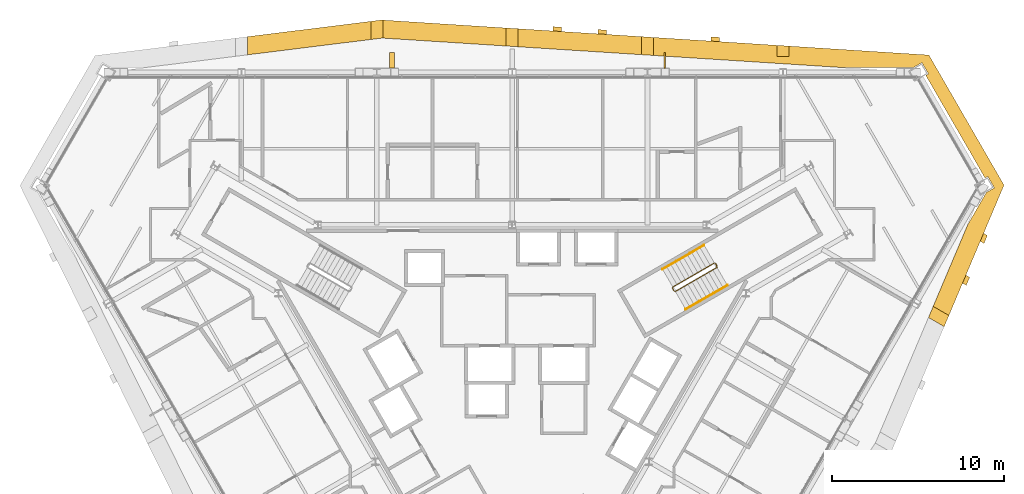
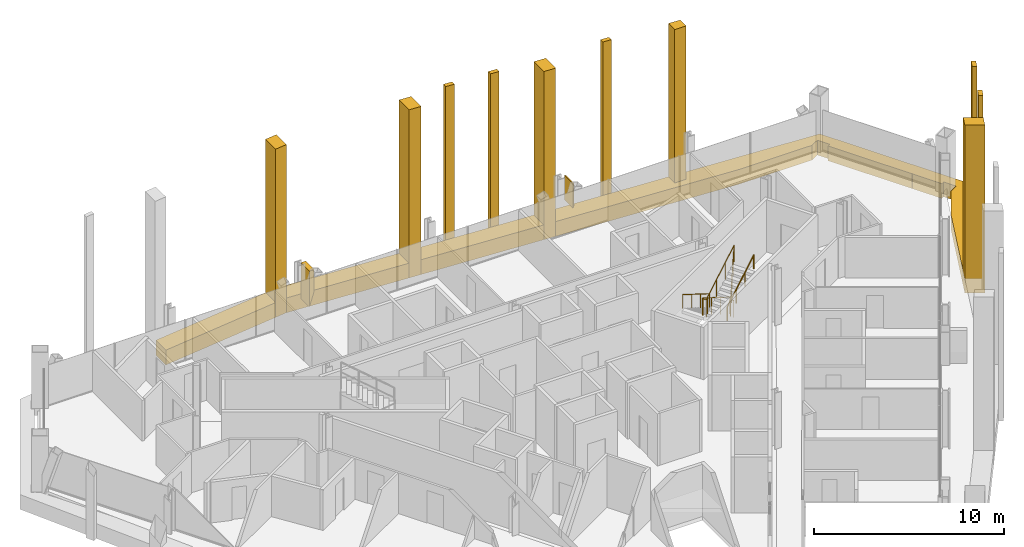
# One storey, part 17 of 17: 16 coverings, 3 railings.
"""IFC4 building model written with IfcOpenShell, lengths in metres."""

import ifcopenshell
import ifcopenshell.guid

model = None  # the IFC model being written
_history = None  # IfcOwnerHistory: only IFC2X3 demands one
_inside = {}  # id of a spatial element -> (the spatial element, [elements in it])
_under = {}  # id of a project, library or spatial element -> (it, [spatial elements below it])
_declared = {}  # id of a project -> (the project, [libraries it declares])
_typed = {}  # id of a type object -> (the type object, [elements of that type])
_made_of = {}  # id of a material, layer set ... -> (it, [elements and type objects made of it])


def new_model(schema):
    """Start an empty IFC model of exactly this schema.

    Asked for "IFC4X3", IfcOpenShell would pick the latest addendum, in which some entities
    have other attributes; the version numbers below select the first issue.
    IFC2X3 requires an IfcOwnerHistory on every rooted entity: one is made here for all.
    """
    global model, _history
    if schema == "IFC4X3":
        model = ifcopenshell.file(schema_version=(4, 3, 0, 0))
    else:
        model = ifcopenshell.file(schema=schema)
    _inside.clear()
    _under.clear()
    _declared.clear()
    _typed.clear()
    _made_of.clear()
    _history = None
    if model.schema == "IFC2X3":
        org = make("IfcOrganization", Name="unknown")
        user = make(
            "IfcPersonAndOrganization",
            ThePerson=make("IfcPerson", FamilyName="unknown"),
            TheOrganization=org,
        )
        app = make(
            "IfcApplication",
            ApplicationDeveloper=org,
            Version="unknown",
            ApplicationFullName="unknown",
            ApplicationIdentifier="unknown",
        )
        _history = make(
            "IfcOwnerHistory",
            OwningUser=user,
            OwningApplication=app,
            ChangeAction="ADDED",
            CreationDate=0,
        )
    return model


def make(cls, **values):
    """One entity of the class cls with the attributes given. An attribute that is None is left unset."""
    return model.create_entity(
        cls, **{name: value for name, value in values.items() if value is not None}
    )


def rooted(cls, **values):
    """An entity with a GlobalId (a new one), such as an element, a storey or a relation."""
    return make(cls, GlobalId=ifcopenshell.guid.new(), OwnerHistory=_history, **values)


def si_unit(unit_type, name, prefix=None):
    """IfcSIUnit, for example si_unit("LENGTHUNIT", "METRE", prefix="MILLI")."""
    return make("IfcSIUnit", UnitType=unit_type, Prefix=prefix, Name=name)


def assignment(units):
    """IfcUnitAssignment: the units of a project."""
    return None if units is None else make("IfcUnitAssignment", Units=units)


def point(xyz):
    """IfcCartesianPoint."""
    return None if xyz is None else make("IfcCartesianPoint", Coordinates=xyz)


def direction(xyz):
    """IfcDirection."""
    return None if xyz is None else make("IfcDirection", DirectionRatios=xyz)


def frame(location, z_axis=None, x_axis=None):
    """IfcAxis2Placement3D, a coordinate frame: its origin and axes. An axis left out is left unset."""
    return make(
        "IfcAxis2Placement3D",
        Location=point(location),
        Axis=direction(z_axis),
        RefDirection=direction(x_axis),
    )


def frame_2d(location, x_axis=None):
    """IfcAxis2Placement2D, a coordinate frame in the plane: its origin and x axis."""
    return make(
        "IfcAxis2Placement2D", Location=point(location), RefDirection=direction(x_axis)
    )


def origin():
    """The frame at (0, 0, 0) with its axes left unset."""
    return frame((0.0, 0.0, 0.0))


def origin_2d():
    """The frame at (0, 0) in the plane with its x axis left unset."""
    return frame_2d((0.0, 0.0))


def place(relative_to, where):
    """IfcLocalPlacement: puts the frame where relative to a parent placement (None: the world)."""
    return make(
        "IfcLocalPlacement", PlacementRelTo=relative_to, RelativePlacement=where
    )


def context(
    kind, dimensions, precision=None, world=None, true_north=None, identifier=None
):
    """IfcGeometricRepresentationContext, for example the 3D "Model" context."""
    return make(
        "IfcGeometricRepresentationContext",
        ContextIdentifier=identifier,
        ContextType=kind,
        CoordinateSpaceDimension=dimensions,
        Precision=precision,
        WorldCoordinateSystem=world,
        TrueNorth=true_north,
    )


def subcontext(parent, identifier, kind, view, scale=None):
    """IfcGeometricRepresentationSubContext, for example "Body" below "Model"."""
    return make(
        "IfcGeometricRepresentationSubContext",
        ContextIdentifier=identifier,
        ContextType=kind,
        ParentContext=parent,
        TargetScale=scale,
        TargetView=view,
    )


def project(units=None, contexts=None):
    """IfcProject with its units and contexts."""
    return rooted(
        "IfcProject",
        Name="project",
        RepresentationContexts=contexts,
        UnitsInContext=assignment(units),
    )


def spatial(cls, under=None, at=None, **own):
    """A site, building, storey or space (cls), placed at a placement, below another one or the project."""
    s = rooted(cls, ObjectPlacement=at, **own)
    if under is not None:
        _under.setdefault(under.id(), (under, []))[1].append(s)
    return s


def polyline(points):
    """IfcPolyline through the points."""
    return make("IfcPolyline", Points=[point(p) for p in points])


def profile(cls, at=None, kind="AREA", **sizes):
    """A parametric profile (cls). Its sizes go by their IFC names, for example OverallWidth=200.0."""
    return make(cls, ProfileType=kind, Position=at, **sizes)


def circle(**sizes):
    """IfcCircleProfileDef."""
    return profile("IfcCircleProfileDef", **sizes)


def outline(outer, holes=None, kind="AREA"):
    """IfcArbitraryClosedProfileDef: a profile drawn as a closed curve; with holes, ...WithVoids."""
    if holes is None:
        return make("IfcArbitraryClosedProfileDef", ProfileType=kind, OuterCurve=outer)
    return make(
        "IfcArbitraryProfileDefWithVoids",
        ProfileType=kind,
        OuterCurve=outer,
        InnerCurves=holes,
    )


def extrude(swept, where, along, depth):
    """IfcExtrudedAreaSolid: the profile swept, set in the frame where, extruded along a direction by depth."""
    return make(
        "IfcExtrudedAreaSolid",
        SweptArea=swept,
        Position=where,
        ExtrudedDirection=direction(along),
        Depth=depth,
    )


def shape(context_of_items, identifier, shape_type, items):
    """IfcShapeRepresentation: the items that make up one representation, for example the "Body"."""
    return make(
        "IfcShapeRepresentation",
        ContextOfItems=context_of_items,
        RepresentationIdentifier=identifier,
        RepresentationType=shape_type,
        Items=items,
    )


def material(Name=None, Category=None):
    """IfcMaterial."""
    return make("IfcMaterial", Name=Name, Category=Category)


def layer(
    of_material, thickness, ventilated=None, Name=None, Category=None, Priority=None
):
    """IfcMaterialLayer: one layer of a wall or slab, of a material (None: an air gap)."""
    return make(
        "IfcMaterialLayer",
        Material=of_material,
        LayerThickness=thickness,
        IsVentilated=ventilated,
        Name=Name,
        Category=Category,
        Priority=Priority,
    )


def layer_set(layers, Name=None):
    """IfcMaterialLayerSet."""
    return make("IfcMaterialLayerSet", MaterialLayers=layers, LayerSetName=Name)


def made_of(thing, what):
    """Note that an element or type object is made of a material, layer set ...; save() writes the relation."""
    if what is not None:
        _made_of.setdefault(what.id(), (what, []))[1].append(thing)
    return thing


def type_object(cls, material=None, **own):
    """A type object (cls), such as IfcWallType, which elements share."""
    return made_of(rooted(cls, **own), material)


def element(
    cls,
    number,
    at=None,
    inside=None,
    cuts=None,
    type_object=None,
    material=None,
    context=None,
    identifier="Body",
    shape_type=None,
    held_by="IfcProductDefinitionShape",
    body=None,
    shapes=None,
    **own,
):
    """One element of the class cls, such as IfcWall. Its Tag is "e" and its number.

    at: its placement. inside: the storey or other place that contains it. cuts: it is an
    opening in that element (IfcRelVoidsElement). A single representation is given by context,
    identifier, shape_type and body (its items); several are given by shapes. held_by: the class
    of the entity that holds the representations. save() writes the other relations.
    """
    e = rooted(cls, Tag="e%d" % number, ObjectPlacement=at, **own)
    if body is not None:
        shapes = [shape(context, identifier, shape_type, body)]
    if shapes is not None:
        e.Representation = make(held_by, Representations=shapes)
    if inside is not None:
        _inside.setdefault(inside.id(), (inside, []))[1].append(e)
    if cuts is not None:
        rooted(
            "IfcRelVoidsElement", RelatingBuildingElement=cuts, RelatedOpeningElement=e
        )
    if type_object is not None:
        _typed.setdefault(type_object.id(), (type_object, []))[1].append(e)
    return made_of(e, material)


def aggregate(whole, parts):
    """IfcRelAggregates: a whole, such as a stair, and the parts it consists of."""
    return rooted("IfcRelAggregates", RelatingObject=whole, RelatedObjects=parts)


def save(model, path):
    """Write the relations noted so far, then the file.

    IfcRelAggregates (storeys below a building ...), IfcRelContainedInSpatialStructure (elements
    in a storey), IfcRelDefinesByType, IfcRelAssociatesMaterial and IfcRelDeclares: one each for
    every whole, place, type object, material and project.
    """
    for whole, parts in _under.values():
        aggregate(whole, parts)
    for where, things in _inside.values():
        rooted(
            "IfcRelContainedInSpatialStructure",
            RelatedElements=things,
            RelatingStructure=where,
        )
    for kind, things in _typed.values():
        rooted("IfcRelDefinesByType", RelatedObjects=things, RelatingType=kind)
    for what, things in _made_of.values():
        rooted("IfcRelAssociatesMaterial", RelatedObjects=things, RelatingMaterial=what)
    for by, libraries in _declared.values():
        rooted("IfcRelDeclares", RelatingContext=by, RelatedDefinitions=libraries)
    model.write(path)


model = new_model("IFC4")

# Units and contexts
model_context = context("Model", 3, precision=1e-05, world=origin(), true_north=direction((0.0, 1.0)))
body_context = subcontext(model_context, "Body", "Model", "MODEL_VIEW")
ifc_project = project(units=[si_unit("LENGTHUNIT", "METRE"), si_unit("AREAUNIT", "SQUARE_METRE"), si_unit("VOLUMEUNIT", "CUBIC_METRE"), si_unit("PLANEANGLEUNIT", "RADIAN"), si_unit("MASSUNIT", "GRAM", prefix="KILO")], contexts=[model_context])

# Site, building, storey
site_placement = place(None, origin())
site = spatial("IfcSite", under=ifc_project, at=site_placement, CompositionType="ELEMENT")
building_placement = place(site_placement, origin())
building = spatial("IfcBuilding", under=site, at=building_placement, Name="Verrane Prism Tower", CompositionType="ELEMENT")
storey_placement = place(building_placement, frame((0.0, 0.0, 92.800048828125)))
storey = spatial("IfcBuildingStorey", under=building, at=storey_placement, Name="L21", CompositionType="ELEMENT", Elevation=92.800048828125)

# Railings
ifc_material_1 = material(Name="Steel A36 rail and posts, no infill", Category="steel")
railing_type_1 = type_object("IfcRailingType", Name="Stair guard 1100 steel rail and posts", PredefinedType="GUARDRAIL", material=ifc_material_1)
railing_1_placement = place(storey_placement, frame((11.78955078125, 6.97998046875, 0.16357421875)))
element("IfcRailing", 1, at=railing_1_placement, inside=storey, type_object=railing_type_1, Name="Stair 1 guard", PredefinedType="GUARDRAIL", context=body_context, shape_type="SweptSolid", body=[
    extrude(circle(Radius=0.02392578125, at=origin_2d()), frame((0.0, 0.0, 1.076171875), z_axis=(-0.747665513933, -0.431721881032, 0.504591415616), x_axis=(0.500049511043, -0.865996816683, 0.0)), (0.0, 0.0, 1.0), 3.2431640625),
    extrude(circle(Radius=0.02392578125, at=origin_2d()), frame((-2.4248046875, -1.400146484375, 2.71240234375), z_axis=(-0.259601060869, -0.965715946433, 0.0), x_axis=(0.965715946433, -0.259601060869, 0.0)), (0.0, 0.0, 1.0), 0.070556640625),
    extrude(circle(Radius=0.02392578125, at=origin_2d()), frame((-2.443115234375, -1.46826171875, 2.71240234375), z_axis=(0.499158860599, -0.866510491504, 0.0), x_axis=(0.866510491504, 0.499158860599, 0.0)), (0.0, 0.0, 1.0), 0.199951171875),
    extrude(circle(Radius=0.02392578125, at=origin_2d()), frame((-2.34326171875, -1.6416015625, 2.71240234375), z_axis=(0.383552647116, -0.102737316192, 0.917786691313), x_axis=(0.258736085224, 0.965948051503, 0.0)), (0.0, 0.0, 1.0), 0.17822265625),
    extrude(circle(Radius=0.02392578125, at=origin_2d()), frame((-2.27490234375, -1.659912109375, 2.8759765625), z_axis=(0.747693913401, 0.431738279637, 0.504535300807), x_axis=(-0.500049511043, 0.865996816683, 0.0)), (0.0, 0.0, 1.0), 3.2431640625),
    extrude(circle(Radius=0.02392578125, at=origin_2d()), frame((0.14990234375, -0.259765625, 4.51220703125), z_axis=(-0.022595193939, 0.066906128161, -0.9975033971), x_axis=(-0.947430582667, -0.3199613899, 0.0)), (0.0, 0.0, 1.0), 3.60888671875),
    extrude(circle(Radius=0.02392578125, at=origin_2d()), frame((0.068359375, -0.018310546875, 0.91259765625), z_axis=(0.499158860599, -0.866510491504, 0.0), x_axis=(0.866510491504, 0.499158860599, 0.0)), (0.0, 0.0, 1.0), 0.199951171875),
    extrude(circle(Radius=0.02099609375, at=origin_2d()), origin(), (0.0, 0.0, 1.0), 1.052001953125),
    extrude(circle(Radius=0.02099609375, at=origin_2d()), frame((-0.808349609375, -0.466796875, 0.54541015625)), (0.0, 0.0, 1.0), 1.052001953125),
    extrude(circle(Radius=0.02099609375, at=origin_2d()), frame((-1.616455078125, -0.933349609375, 1.091064453125)), (0.0, 0.0, 1.0), 1.052001953125),
    extrude(circle(Radius=0.02099609375, at=origin_2d()), frame((-2.4248046875, -1.400146484375, 1.636474609375)), (0.0, 0.0, 1.0), 1.052001953125),
    extrude(circle(Radius=0.02099609375, at=origin_2d()), frame((-2.443115234375, -1.46826171875, 1.636474609375)), (0.0, 0.0, 1.0), 1.052001953125),
    extrude(circle(Radius=0.02099609375, at=origin_2d()), frame((-2.34326171875, -1.6416015625, 1.636474609375)), (0.0, 0.0, 1.0), 1.052001953125),
    extrude(circle(Radius=0.02099609375, at=origin_2d()), frame((-2.27490234375, -1.659912109375, 1.800048828125)), (0.0, 0.0, 1.0), 1.052001953125),
    extrude(circle(Radius=0.02099609375, at=origin_2d()), frame((-1.466552734375, -1.193115234375, 2.345458984375)), (0.0, 0.0, 1.0), 1.052001953125),
    extrude(circle(Radius=0.02099609375, at=origin_2d()), frame((-0.658447265625, -0.7265625, 2.890869140625)), (0.0, 0.0, 1.0), 1.052001953125),
    extrude(circle(Radius=0.02099609375, at=origin_2d()), frame((0.14990234375, -0.259765625, 3.436279296875)), (0.0, 0.0, 1.0), 1.052001953125),
    extrude(circle(Radius=0.02099609375, at=origin_2d()), frame((0.12939453125, -0.199462890625, 2.536376953125)), (0.0, 0.0, 1.0), 1.052001953125),
    extrude(circle(Radius=0.02099609375, at=origin_2d()), frame((0.109130859375, -0.13916015625, 1.63623046875)), (0.0, 0.0, 1.0), 1.052001953125),
    extrude(circle(Radius=0.02099609375, at=origin_2d()), frame((0.0888671875, -0.07861328125, 0.736328125)), (0.0, 0.0, 1.0), 1.052001953125),
    extrude(circle(Radius=0.02099609375, at=origin_2d()), frame((0.068359375, -0.018310546875, -0.16357421875)), (0.0, 0.0, 1.0), 1.052001953125),
    extrude(circle(Radius=0.02099609375, at=origin_2d()), frame((0.168212890625, -0.191650390625, -0.16357421875)), (0.0, 0.0, 1.0), 1.052001953125),
])
ifc_material_2 = material(Name="Steel A36 tube", Category="steel")
railing_type_2 = type_object("IfcRailingType", Name="Stair handrail 900 steel tube", PredefinedType="HANDRAIL", material=ifc_material_2)
railing_2_placement = place(storey_placement, frame((11.189453125, 8.01904296875, 0.16357421875)))
element("IfcRailing", 2, at=railing_2_placement, inside=storey, type_object=railing_type_2, Name="Stair 1 handrail", PredefinedType="HANDRAIL", context=body_context, shape_type="SweptSolid", body=[
    extrude(circle(Radius=0.02392578125, at=origin_2d()), frame((0.0, 0.0, 0.8759765625), z_axis=(-0.747689811644, -0.431660630283, 0.504607813879), x_axis=(0.49998411664, -0.866034573852, 0.0)), (0.0, 0.0, 1.0), 3.2431640625),
    extrude(circle(Radius=0.02099609375, at=origin_2d()), origin(), (0.0, 0.0, 1.0), 0.851806640625),
    extrude(circle(Radius=0.02099609375, at=origin_2d()), frame((-0.808349609375, -0.466552734375, 0.54541015625)), (0.0, 0.0, 1.0), 0.851806640625),
    extrude(circle(Radius=0.02099609375, at=origin_2d()), frame((-1.616455078125, -0.933349609375, 1.091064453125)), (0.0, 0.0, 1.0), 0.851806640625),
    extrude(circle(Radius=0.02099609375, at=origin_2d()), frame((-2.4248046875, -1.39990234375, 1.636474609375)), (0.0, 0.0, 1.0), 0.851806640625),
])
railing_3_placement = place(storey_placement, frame((10.11474609375, 4.28076171875, 1.963623046875)))
element("IfcRailing", 3, at=railing_3_placement, inside=storey, type_object=railing_type_2, Name="Stair 1 handrail", PredefinedType="HANDRAIL", context=body_context, shape_type="SweptSolid", body=[
    extrude(circle(Radius=0.02392578125, at=origin_2d()), frame((0.0, 0.0, 0.8759765625), z_axis=(0.747693913401, 0.431738279637, 0.504535300807), x_axis=(-0.500049511043, 0.865996816683, 0.0)), (0.0, 0.0, 1.0), 3.2431640625),
    extrude(circle(Radius=0.02099609375, at=origin_2d()), origin(), (0.0, 0.0, 1.0), 0.851806640625),
    extrude(circle(Radius=0.02099609375, at=origin_2d()), frame((0.808349609375, 0.466796875, 0.54541015625)), (0.0, 0.0, 1.0), 0.851806640625),
    extrude(circle(Radius=0.02099609375, at=origin_2d()), frame((1.616455078125, 0.933349609375, 1.0908203125)), (0.0, 0.0, 1.0), 0.851806640625),
    extrude(circle(Radius=0.02099609375, at=origin_2d()), frame((2.4248046875, 1.400146484375, 1.63623046875)), (0.0, 0.0, 1.0), 0.851806640625),
])

# Coverings
ifc_material_3 = material(Name="Warm limestone cladding", Category="masonry")
ifc_layer_1 = layer(ifc_material_3, 0.89990234375)
ifc_layer_set_1 = layer_set([ifc_layer_1], Name="Stone brace fin 900")
covering_type_1 = type_object("IfcCoveringType", Name="Stone brace fin 900", PredefinedType="CLADDING", material=ifc_layer_set_1)
covering_1_placement = place(storey_placement, frame((8.862548828125, 18.7939453125, 1.068115234375), z_axis=(0.0, 0.0, 1.0), x_axis=(1.0, 0.0, 0.0)))
element("IfcCovering", 4, at=covering_1_placement, inside=storey, type_object=covering_type_1, Name="Stone brace fin N2 L21", PredefinedType="CLADDING", context=body_context, shape_type="SweptSolid", body=[
    extrude(outline(polyline([(0.06201171875, 1.581787109375), (0.0, 1.581787109375), (0.0, 0.0), (0.06201171875, 0.197509765625), (0.06201171875, 1.581787109375)])), frame((0.0, 0.449951171875, 0.0), z_axis=(0.0, -1.0, 0.0), x_axis=(1.0, 0.0, 0.0)), (0.0, 0.0, 1.0), 0.89990234375),
])
covering_2_placement = place(storey_placement, frame((-7.1494140625, 18.7939453125, 0.3271484375), z_axis=(0.0, 0.0, 1.0), x_axis=(1.0, 0.0, 0.0)))
element("IfcCovering", 5, at=covering_2_placement, inside=storey, type_object=covering_type_1, Name="Stone brace fin N4 L21", PredefinedType="CLADDING", context=body_context, shape_type="SweptSolid", body=[
    extrude(outline(polyline([(0.293701171875, 2.32275390625), (0.0, 2.32275390625), (0.0, 0.0), (0.293701171875, 0.9384765625), (0.293701171875, 2.32275390625)])), frame((0.0, 0.449951171875, 0.0), z_axis=(0.0, -1.0, 0.0), x_axis=(1.0, 0.0, 0.0)), (0.0, 0.0, 1.0), 0.89990234375),
])
ifc_material_4 = material(Name="Warm limestone cladding", Category="masonry")
covering_type_2 = type_object("IfcCoveringType", Name="Stone mullion pier 500", PredefinedType="CLADDING", material=ifc_material_4)
covering_3_placement = place(storey_placement, frame((0.0, 0.0, -0.949951171875)))
element("IfcCovering", 6, at=covering_3_placement, inside=storey, type_object=covering_type_2, Name="Stone pier SM-N1.1 L21-L23", PredefinedType="CLADDING", context=body_context, shape_type="SweptSolid", body=[
    extrude(outline(polyline([(11.581298828125, 19.915771484375), (12.081298828125, 19.8837890625), (12.081298828125, 20.13427734375), (11.581298828125, 20.166259765625), (11.581298828125, 19.915771484375)])), origin(), (0.0, 0.0, 1.0), 10.7998046875),
])
covering_4_placement = place(storey_placement, frame((0.0, 0.0, -0.949951171875)))
element("IfcCovering", 7, at=covering_4_placement, inside=storey, type_object=covering_type_2, Name="Stone pier SM-N2.1 L21-L23", PredefinedType="CLADDING", context=body_context, shape_type="SweptSolid", body=[
    extrude(outline(polyline([(5.00830078125, 20.336669921875), (5.50830078125, 20.3046875), (5.50830078125, 20.55517578125), (5.00830078125, 20.587158203125), (5.00830078125, 20.336669921875)])), origin(), (0.0, 0.0, 1.0), 10.7998046875),
])
covering_5_placement = place(storey_placement, frame((0.0, 0.0, -0.949951171875)))
element("IfcCovering", 8, at=covering_5_placement, inside=storey, type_object=covering_type_2, Name="Stone pier SM-N2.2 L21-L23", PredefinedType="CLADDING", context=body_context, shape_type="SweptSolid", body=[
    extrude(outline(polyline([(2.379150390625, 20.5048828125), (2.879150390625, 20.472900390625), (2.879150390625, 20.723388671875), (2.379150390625, 20.755615234375), (2.379150390625, 20.5048828125)])), origin(), (0.0, 0.0, 1.0), 10.7998046875),
])
covering_6_placement = place(storey_placement, frame((0.0, 0.0, -0.949951171875)))
element("IfcCovering", 9, at=covering_6_placement, inside=storey, type_object=covering_type_2, Name="Stone pier SM-SE5.1 L21-L23", PredefinedType="CLADDING", context=body_context, shape_type="SweptSolid", body=[
    extrude(outline(polyline([(26.44921875, 6.27001953125), (26.2529296875, 5.805908203125), (26.470947265625, 5.679931640625), (26.667236328125, 6.143798828125), (26.44921875, 6.27001953125)])), origin(), (0.0, 0.0, 1.0), 10.7998046875),
])
covering_7_placement = place(storey_placement, frame((0.0, 0.0, -0.949951171875)))
element("IfcCovering", 10, at=covering_7_placement, inside=storey, type_object=covering_type_2, Name="Stone pier SM-SE5.2 L21-L23", PredefinedType="CLADDING", context=body_context, shape_type="SweptSolid", body=[
    extrude(outline(polyline([(27.480712890625, 8.710205078125), (27.284423828125, 8.24609375), (27.502685546875, 8.1201171875), (27.69873046875, 8.584228515625), (27.480712890625, 8.710205078125)])), origin(), (0.0, 0.0, 1.0), 10.7998046875),
])
ifc_material_5 = material(Name="Warm limestone cladding", Category="masonry")
covering_type_3 = type_object("IfcCoveringType", Name="Stone pier 700", PredefinedType="CLADDING", material=ifc_material_5)
covering_8_placement = place(storey_placement, frame((0.0, 0.0, -0.949951171875)))
element("IfcCovering", 11, at=covering_8_placement, inside=storey, type_object=covering_type_3, Name="Stone pier PC-N1 L21-L23", PredefinedType="CLADDING", context=body_context, shape_type="SweptSolid", body=[
    extrude(outline(polyline([(15.42529296875, 19.010009765625), (16.125244140625, 19.010009765625), (16.125244140625, 19.624755859375), (15.42529296875, 19.669677734375), (15.42529296875, 19.010009765625)])), origin(), (0.0, 0.0, 1.0), 10.7998046875),
])
covering_9_placement = place(storey_placement, frame((0.0, 0.0, -0.949951171875)))
element("IfcCovering", 12, at=covering_9_placement, inside=storey, type_object=covering_type_3, Name="Stone pier PC-N2 L21-L23", PredefinedType="CLADDING", context=body_context, shape_type="SweptSolid", body=[
    extrude(outline(polyline([(7.53759765625, 20.1748046875), (7.53759765625, 19.12255859375), (8.237548828125, 19.07763671875), (8.237548828125, 20.1298828125), (7.53759765625, 20.1748046875)])), origin(), (0.0, 0.0, 1.0), 10.7998046875),
])
covering_10_placement = place(storey_placement, frame((0.0, 0.0, -0.949951171875)))
element("IfcCovering", 13, at=covering_10_placement, inside=storey, type_object=covering_type_3, Name="Stone pier PC-N3 L21-L23", PredefinedType="CLADDING", context=body_context, shape_type="SweptSolid", body=[
    extrude(outline(polyline([(-0.35009765625, 20.6796875), (-0.35009765625, 19.627685546875), (0.35009765625, 19.582763671875), (0.35009765625, 20.635009765625), (-0.35009765625, 20.6796875)])), origin(), (0.0, 0.0, 1.0), 10.7998046875),
])
covering_11_placement = place(storey_placement, frame((0.0, 0.0, -0.949951171875)))
element("IfcCovering", 14, at=covering_11_placement, inside=storey, type_object=covering_type_3, Name="Stone pier PC-N4 L21-L23", PredefinedType="CLADDING", context=body_context, shape_type="SweptSolid", body=[
    extrude(outline(polyline([(-8.237548828125, 21.0654296875), (-8.237548828125, 20.00732421875), (-7.572021484375, 20.090087890625), (-7.53759765625, 20.087890625), (-7.53759765625, 21.139892578125), (-7.603515625, 21.144287109375), (-8.237548828125, 21.0654296875)])), origin(), (0.0, 0.0, 1.0), 10.7998046875),
])
covering_12_placement = place(storey_placement, frame((0.0, 0.0, -0.949951171875)))
element("IfcCovering", 15, at=covering_12_placement, inside=storey, type_object=covering_type_3, Name="Stone pier PC-SE5 L21-L23", PredefinedType="CLADDING", context=body_context, shape_type="SweptSolid", body=[
    extrude(outline(polyline([(25.456787109375, 3.92236328125), (24.540283203125, 4.451416015625), (24.265625, 3.801513671875), (25.181884765625, 3.272705078125), (25.456787109375, 3.92236328125)])), origin(), (0.0, 0.0, 1.0), 10.7998046875),
])
ifc_material_6 = material(Name="Warm limestone cladding", Category="masonry")
ifc_layer_2 = layer(ifc_material_6, 0.449951171875)
ifc_layer_set_2 = layer_set([ifc_layer_2], Name="Stone spandrel band 450")
covering_type_4 = type_object("IfcCoveringType", Name="Stone spandrel band 450", PredefinedType="CLADDING", material=ifc_layer_set_2)
covering_13_placement = place(storey_placement, frame((0.0, 0.0, -0.949951171875)))
element("IfcCovering", 16, at=covering_13_placement, inside=storey, type_object=covering_type_4, Name="Stone spandrel band L21 part 2", PredefinedType="CLADDING", context=body_context, shape_type="SweptSolid", body=[
    extrude(outline(polyline([(8.237548828125, 19.07763671875), (18.9775390625, 18.389892578125), (23.419677734375, 18.389892578125), (23.8857421875, 18.6591796875), (24.265625, 18.0009765625), (24.11181640625, 17.912109375), (26.6572265625, 13.503662109375), (26.67626953125, 13.50048828125), (26.672607421875, 13.476806640625), (26.70654296875, 13.41796875), (26.7080078125, 13.418701171875), (26.73974609375, 13.364013671875), (26.73828125, 13.363037109375), (27.111083984375, 12.71728515625), (27.113037109375, 12.71826171875), (27.165771484375, 12.62744140625), (27.163818359375, 12.626220703125), (27.254638671875, 12.468994140625), (27.256591796875, 12.47021484375), (27.288330078125, 12.415283203125), (27.2861328125, 12.4140625), (27.567138671875, 11.927490234375), (27.7255859375, 12.01904296875), (28.105712890625, 11.36083984375), (27.638427734375, 11.091064453125), (26.55078125, 9.20751953125), (24.540283203125, 4.451416015625), (25.456787109375, 3.92236328125), (28.66845703125, 11.52001953125), (24.291015625, 19.101806640625), (16.125244140625, 19.624755859375), (16.125244140625, 19.010009765625), (15.42529296875, 19.010009765625), (15.42529296875, 19.669677734375), (8.237548828125, 20.1298828125), (8.237548828125, 19.07763671875)])), origin(), (0.0, 0.0, 1.0), 0.949951171875),
])
covering_14_placement = place(storey_placement, frame((0.0, 0.0, -0.949951171875)))
element("IfcCovering", 17, at=covering_14_placement, inside=storey, type_object=covering_type_4, Name="Stone spandrel band L21 part 10", PredefinedType="CLADDING", context=body_context, shape_type="SweptSolid", body=[
    extrude(outline(polyline([(0.35009765625, 19.582763671875), (7.53759765625, 19.12255859375), (7.53759765625, 20.1748046875), (0.35009765625, 20.635009765625), (0.35009765625, 19.582763671875)])), origin(), (0.0, 0.0, 1.0), 0.949951171875),
])
covering_15_placement = place(storey_placement, frame((0.0, 0.0, -0.949951171875)))
element("IfcCovering", 18, at=covering_15_placement, inside=storey, type_object=covering_type_4, Name="Stone spandrel band L21 part 11", PredefinedType="CLADDING", context=body_context, shape_type="SweptSolid", body=[
    extrude(outline(polyline([(-7.53759765625, 21.139892578125), (-7.53759765625, 20.087890625), (-0.35009765625, 19.627685546875), (-0.35009765625, 20.6796875), (-7.53759765625, 21.139892578125)])), origin(), (0.0, 0.0, 1.0), 0.949951171875),
])
covering_16_placement = place(storey_placement, frame((0.0, 0.0, -0.949951171875)))
element("IfcCovering", 19, at=covering_16_placement, inside=storey, type_object=covering_type_4, Name="Stone spandrel band L21 part 12", PredefinedType="CLADDING", context=body_context, shape_type="SweptSolid", body=[
    extrude(outline(polyline([(-15.42529296875, 20.172119140625), (-15.42529296875, 19.114013671875), (-8.237548828125, 20.00732421875), (-8.237548828125, 21.0654296875), (-15.42529296875, 20.172119140625)])), origin(), (0.0, 0.0, 1.0), 0.949951171875),
])

save(model, "model.ifc")
